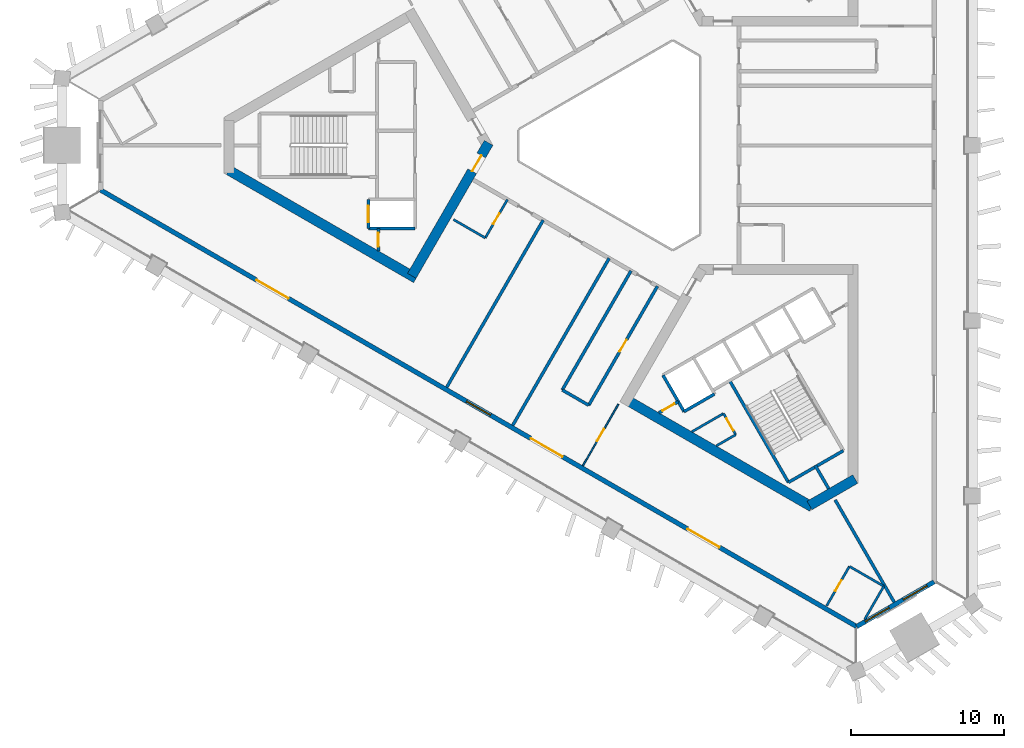
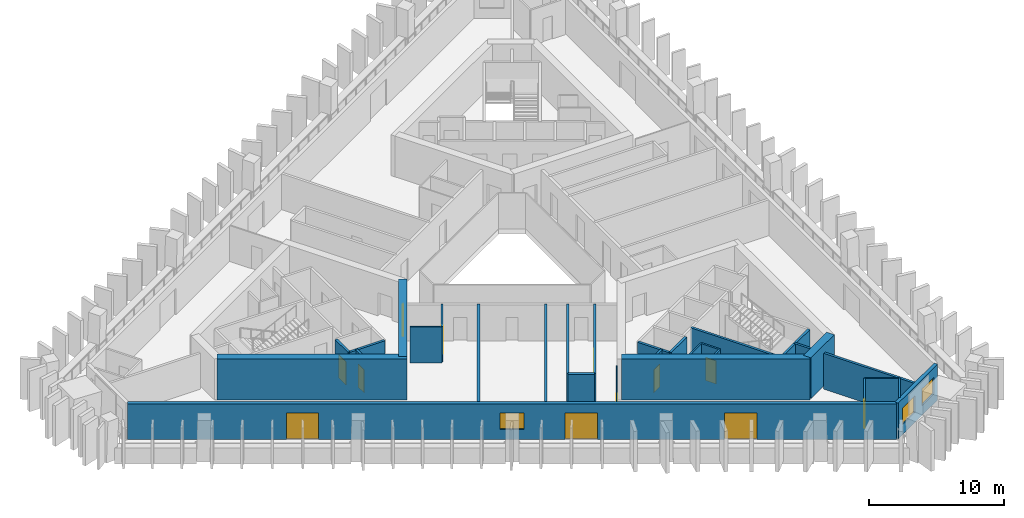
# One storey, part 2 of 10: 30 walls, 12 doors, 3 windows, 15 openings.
"""IFC4 building model written with IfcOpenShell, lengths in metres."""

from ifc_helpers import new_model, si_unit, direction, frame, frame_2d, origin, place, context, subcontext, project, spatial, rectangle, extrude, material, layer, layer_set, type_object, element, fill, save


model = new_model("IFC4")

# Units and contexts
model_context = context("Model", 3, precision=1e-05, world=origin(), true_north=direction((0.0, 1.0)))
body_context = subcontext(model_context, "Body", "Model", "MODEL_VIEW")
ifc_project = project(units=[si_unit("LENGTHUNIT", "METRE"), si_unit("AREAUNIT", "SQUARE_METRE"), si_unit("VOLUMEUNIT", "CUBIC_METRE"), si_unit("PLANEANGLEUNIT", "RADIAN"), si_unit("MASSUNIT", "GRAM", prefix="KILO")], contexts=[model_context])

# Site, building, storey
site_placement = place(None, origin())
site = spatial("IfcSite", under=ifc_project, at=site_placement, CompositionType="ELEMENT")
building_placement = place(site_placement, origin())
building = spatial("IfcBuilding", under=site, at=building_placement, Name="Jabali Bay Hotel Tower and Convention Centre", CompositionType="ELEMENT")
storey_placement = place(building_placement, frame((0.0, 0.0, 110.5)))
storey = spatial("IfcBuildingStorey", under=building, at=storey_placement, Name="L26", CompositionType="ELEMENT", Elevation=110.5)

# Wall, opening, door
ifc_material_1 = material(Name="Concrete C40", Category="concrete")
ifc_layer_1 = layer(ifc_material_1, 0.199951171875)
ifc_layer_set_1 = layer_set([ifc_layer_1], Name="Concrete C40")
wall_type_1 = type_object("IfcWallType", Name="Core partition wall 200", PredefinedType="PARTITIONING", material=ifc_layer_set_1)
wall_1_placement = place(storey_placement, frame((58.5, 74.550048828125, 0.0), z_axis=(0.0, 0.0, 1.0), x_axis=(0.0, -1.0, 0.0)))
wall_1 = element("IfcWall", 1, at=wall_1_placement, inside=storey, type_object=wall_type_1, Name="Core wall 0.10 L26", PredefinedType="PARTITIONING", context=body_context, shape_type="SweptSolid", body=[
    extrude(rectangle(XDim=1.455078125, YDim=0.199951171875, at=frame_2d((0.7275390625, 0.0))), origin(), (0.0, 0.0, 1.0), 3.25),
])
opening_1_placement = place(wall_1_placement, frame((0.277587890625, 0.0, 0.0)))
opening_1 = element("IfcOpeningElement", 2, at=opening_1_placement, cuts=wall_1, Name="Opening D586", PredefinedType="OPENING", context=body_context, shape_type="SweptSolid", body=[
    extrude(rectangle(XDim=0.89990234375, YDim=2.10009765625, at=frame_2d((0.449951171875, 1.050048828125))), frame((0.0, 0.1103515625, 0.0), z_axis=(0.0, -1.0, 0.0), x_axis=(1.0, 0.0, 0.0)), (0.0, 0.0, 1.0), 0.220947265625),
])
ifc_material_2 = material(Name="Fire-rated steel door", Category="steel")
door_type_1 = type_object("IfcDoorType", Name="Vestibule fire door 900 x 2100", OperationType="NOTDEFINED", PredefinedType="NOTDEFINED", material=ifc_material_2)
door_1_placement = place(opening_1_placement, origin())
door_1 = element("IfcDoor", 3, at=door_1_placement, inside=storey, type_object=door_type_1, Name="Vestibule fire door D586", OperationType="SINGLE_SWING_LEFT", OverallHeight=2.10009765625, OverallWidth=0.89990234375, PredefinedType="NOTDEFINED", context=body_context, shape_type="SweptSolid", body=[
    extrude(rectangle(XDim=0.89990234375, YDim=2.10009765625, at=frame_2d((0.449951171875, 1.050048828125))), frame((0.0, 0.02490234375, 0.0), z_axis=(0.0, -1.0, 0.0), x_axis=(1.0, 0.0, 0.0)), (0.0, 0.0, 1.0), 0.050048828125),
])
fill(opening_1, door_1)

# Wall
wall_2_placement = place(storey_placement, frame((87.090087890625, 59.0595703125, 0.0), z_axis=(0.0, 0.0, 1.0), x_axis=(0.499944938281, -0.866057191349, 0.0)))
element("IfcWall", 4, at=wall_2_placement, inside=storey, type_object=wall_type_1, Name="Core wall 2.5 L26", PredefinedType="PARTITIONING", context=body_context, shape_type="SweptSolid", body=[
    extrude(rectangle(XDim=1.773193359375, YDim=0.199951171875, at=frame_2d((0.88671875, 0.0))), origin(), (0.0, 0.0, 1.0), 3.25),
])

# Wall, opening, door
wall_3_placement = place(storey_placement, frame((76.869873046875, 62.489013671875, 0.0), z_axis=(0.0, 0.0, 1.0), x_axis=(0.866054810376, 0.49994906283, 0.0)))
wall_3 = element("IfcWall", 5, at=wall_3_placement, inside=storey, type_object=wall_type_1, Name="Core wall 2.11 L26", PredefinedType="PARTITIONING", context=body_context, shape_type="SweptSolid", body=[
    extrude(rectangle(XDim=1.461181640625, YDim=0.199951171875, at=frame_2d((0.73046875, 0.0))), origin(), (0.0, 0.0, 1.0), 3.25),
])
opening_2_placement = place(wall_3_placement, frame((0.280517578125, 0.0, 0.0)))
opening_2 = element("IfcOpeningElement", 6, at=opening_2_placement, cuts=wall_3, Name="Opening D599", PredefinedType="OPENING", context=body_context, shape_type="SweptSolid", body=[
    extrude(rectangle(XDim=0.89990234375, YDim=2.10009765625, at=frame_2d((0.449951171875, 1.050048828125))), frame((0.0, 0.1103515625, 0.0), z_axis=(0.0, -1.0, 0.0), x_axis=(1.0, 0.0, 0.0)), (0.0, 0.0, 1.0), 0.220947265625),
])
door_2_placement = place(opening_2_placement, origin())
door_2 = element("IfcDoor", 7, at=door_2_placement, inside=storey, type_object=door_type_1, Name="Vestibule fire door D599", OperationType="SINGLE_SWING_LEFT", OverallHeight=2.10009765625, OverallWidth=0.89990234375, PredefinedType="NOTDEFINED", context=body_context, shape_type="SweptSolid", body=[
    extrude(rectangle(XDim=0.89990234375, YDim=2.10009765625, at=frame_2d((0.449951171875, 1.050048828125))), frame((0.0, 0.02490234375, 0.0), z_axis=(0.0, -1.0, 0.0), x_axis=(1.0, 0.0, 0.0)), (0.0, 0.0, 1.0), 0.050048828125),
])
fill(opening_2, door_2)

ifc_material_3 = material(Name="Fire-rated board partition")
ifc_layer_2 = layer(ifc_material_3, 0.14990234375)
ifc_layer_set_2 = layer_set([ifc_layer_2], Name="Fire-rated board partition")
wall_type_2 = type_object("IfcWallType", Name="Core room partition 150", PredefinedType="PARTITIONING", material=ifc_layer_set_2)
wall_4_placement = place(storey_placement, frame((81.093994140625, 62.445068359375, 0.0), z_axis=(0.0, 0.0, 1.0), x_axis=(0.499880961361, -0.866094119867, 0.0)))
wall_4 = element("IfcWall", 8, at=wall_4_placement, inside=storey, type_object=wall_type_2, Name="Core wall 2.1 L26", PredefinedType="PARTITIONING", context=body_context, shape_type="SweptSolid", body=[
    extrude(rectangle(XDim=1.60009765625, YDim=0.14990234375, at=frame_2d((0.800048828125, 0.0))), origin(), (0.0, 0.0, 1.0), 3.25),
])
opening_3_placement = place(wall_4_placement, frame((0.387451171875, 0.0, 0.0)))
opening_3 = element("IfcOpeningElement", 9, at=opening_3_placement, cuts=wall_4, Name="Opening D601", PredefinedType="OPENING", context=body_context, shape_type="SweptSolid", body=[
    extrude(rectangle(XDim=0.89990234375, YDim=2.10009765625, at=frame_2d((0.449951171875, 1.050048828125))), frame((0.0, 0.08544921875, 0.0), z_axis=(0.0, -1.0, 0.0), x_axis=(1.0, 0.0, 0.0)), (0.0, 0.0, 1.0), 0.1708984375),
])
door_type_2 = type_object("IfcDoorType", Name="Core room door 900 x 2100", OperationType="NOTDEFINED", PredefinedType="NOTDEFINED", material=ifc_material_2)
door_3_placement = place(opening_3_placement, origin())
door_3 = element("IfcDoor", 10, at=door_3_placement, inside=storey, type_object=door_type_2, Name="Core room door D601", OperationType="SINGLE_SWING_LEFT", OverallHeight=2.10009765625, OverallWidth=0.89990234375, PredefinedType="NOTDEFINED", context=body_context, shape_type="SweptSolid", body=[
    extrude(rectangle(XDim=0.89990234375, YDim=2.10009765625, at=frame_2d((0.449951171875, 1.050048828125))), frame((0.0, 0.02490234375, 0.0), z_axis=(0.0, -1.0, 0.0), x_axis=(1.0, 0.0, 0.0)), (0.0, 0.0, 1.0), 0.050048828125),
])
fill(opening_3, door_3)

# Walls
wall_5_placement = place(storey_placement, frame((79.02001953125, 61.247802734375, 0.0), z_axis=(0.0, 0.0, 1.0), x_axis=(0.866051471819, 0.499954846121, 0.0)))
element("IfcWall", 11, at=wall_5_placement, inside=storey, type_object=wall_type_2, Name="Core wall 2.16 L26", PredefinedType="PARTITIONING", context=body_context, shape_type="SweptSolid", body=[
    extrude(rectangle(XDim=2.394775390625, YDim=0.14990234375, at=frame_2d((1.197265625, 0.0))), origin(), (0.0, 0.0, 1.0), 3.25),
])
wall_6_placement = place(storey_placement, frame((80.619873046875, 60.323974609375, 0.0), z_axis=(0.0, 0.0, 1.0), x_axis=(0.866069507536, 0.49992360228, 0.0)))
element("IfcWall", 12, at=wall_6_placement, inside=storey, type_object=wall_type_2, Name="Core wall 2.17 L26", PredefinedType="PARTITIONING", context=body_context, shape_type="SweptSolid", body=[
    extrude(rectangle(XDim=1.470947265625, YDim=0.14990234375, at=frame_2d((0.7353515625, 0.0))), origin(), (0.0, 0.0, 1.0), 3.25),
])
ifc_layer_3 = layer(ifc_material_1, 0.199951171875)
ifc_layer_set_3 = layer_set([ifc_layer_3], Name="Concrete C40")
wall_type_3 = type_object("IfcWallType", Name="Core stair wall 200", PredefinedType="SOLIDWALL", material=ifc_layer_set_3)
wall_7_placement = place(storey_placement, frame((60.89990234375, 74.550048828125, 0.0), z_axis=(0.0, 0.0, 1.0), x_axis=(-1.0, 0.0, 0.0)))
element("IfcWall", 13, at=wall_7_placement, inside=storey, type_object=wall_type_3, Name="Core wall 0.7 L26", PredefinedType="SOLIDWALL", context=body_context, shape_type="SweptSolid", body=[
    extrude(rectangle(XDim=3.0498046875, YDim=0.199951171875, at=frame_2d((1.52490234375, 0.0))), origin(), (0.0, 0.0, 1.0), 3.25),
])

# Wall, opening, door
wall_8_placement = place(storey_placement, frame((57.85009765625, 76.449951171875, 0.0), z_axis=(0.0, 0.0, 1.0), x_axis=(0.0, -1.0, 0.0)))
wall_8 = element("IfcWall", 14, at=wall_8_placement, inside=storey, type_object=wall_type_3, Name="Core wall 0.12 L26", PredefinedType="SOLIDWALL", context=body_context, shape_type="SweptSolid", body=[
    extrude(rectangle(XDim=1.89990234375, YDim=0.199951171875, at=frame_2d((0.949951171875, 0.0))), origin(), (0.0, 0.0, 1.0), 3.25),
])
opening_4_placement = place(wall_8_placement, frame((0.39990234375, 0.0, 0.0)))
opening_4 = element("IfcOpeningElement", 15, at=opening_4_placement, cuts=wall_8, Name="Opening LD5-L26", PredefinedType="OPENING", context=body_context, shape_type="SweptSolid", body=[
    extrude(rectangle(XDim=1.10009765625, YDim=2.10009765625, at=frame_2d((0.550048828125, 1.050048828125))), frame((0.0, 0.1103515625, 0.0), z_axis=(0.0, -1.0, 0.0), x_axis=(1.0, 0.0, 0.0)), (0.0, 0.0, 1.0), 0.220947265625),
])
ifc_material_4 = material(Name="Stainless steel landing door", Category="steel")
door_type_3 = type_object("IfcDoorType", Name="Landing door 1100 x 2100", OperationType="NOTDEFINED", PredefinedType="NOTDEFINED", material=ifc_material_4)
door_4_placement = place(opening_4_placement, origin())
door_4 = element("IfcDoor", 16, at=door_4_placement, inside=storey, type_object=door_type_3, Name="Landing doors LD5-L26", OperationType="SLIDING_TO_RIGHT", OverallHeight=2.10009765625, OverallWidth=1.10009765625, PredefinedType="NOTDEFINED", context=body_context, shape_type="SweptSolid", body=[
    extrude(rectangle(XDim=1.10009765625, YDim=2.10009765625, at=frame_2d((0.550048828125, 1.050048828125))), frame((0.0, 0.02490234375, 0.0), z_axis=(0.0, -1.0, 0.0), x_axis=(1.0, 0.0, 0.0)), (0.0, 0.0, 1.0), 0.050048828125),
])
fill(opening_4, door_4)

# Walls
wall_9_placement = place(storey_placement, frame((77.13525390625, 64.95166015625, 0.0), z_axis=(0.0, 0.0, 1.0), x_axis=(0.499996545922, -0.866027397988, 0.0)))
element("IfcWall", 17, at=wall_9_placement, inside=storey, type_object=wall_type_3, Name="Core wall 2.0 L26", PredefinedType="SOLIDWALL", context=body_context, shape_type="SweptSolid", body=[
    extrude(rectangle(XDim=2.75, YDim=0.199951171875, at=frame_2d((1.375, 0.0))), origin(), (0.0, 0.0, 1.0), 3.25),
])
wall_10_placement = place(storey_placement, frame((81.492919921875, 64.603759765625, 0.0), z_axis=(0.0, 0.0, 1.0), x_axis=(0.500006057782, -0.866021906294, 0.0)))
element("IfcWall", 18, at=wall_10_placement, inside=storey, type_object=wall_type_3, Name="Core wall 2.3 L26", PredefinedType="SOLIDWALL", context=body_context, shape_type="SweptSolid", body=[
    extrude(rectangle(XDim=7.7001953125, YDim=0.199951171875, at=frame_2d((3.85009765625, 0.0))), origin(), (0.0, 0.0, 1.0), 3.25),
])
wall_11_placement = place(storey_placement, frame((78.51025390625, 62.570068359375, 0.0), z_axis=(0.0, 0.0, 1.0), x_axis=(0.866053019151, 0.499952165731, 0.0)))
element("IfcWall", 19, at=wall_11_placement, inside=storey, type_object=wall_type_3, Name="Core wall 2.14 L26", PredefinedType="SOLIDWALL", context=body_context, shape_type="SweptSolid", body=[
    extrude(rectangle(XDim=2.300048828125, YDim=0.199951171875, at=frame_2d((1.14990234375, 0.0))), origin(), (0.0, 0.0, 1.0), 3.25),
])
wall_12_placement = place(storey_placement, frame((85.343017578125, 57.935302734375, 0.0), z_axis=(0.0, 0.0, 1.0), x_axis=(0.866004344652, 0.500036473714, 0.0)))
element("IfcWall", 20, at=wall_12_placement, inside=storey, type_object=wall_type_3, Name="Core wall 2.18 L26", PredefinedType="SOLIDWALL", context=body_context, shape_type="SweptSolid", body=[
    extrude(rectangle(XDim=4.150146484375, YDim=0.199951171875, at=frame_2d((2.0751953125, 0.0))), origin(), (0.0, 0.0, 1.0), 3.25),
])
ifc_material_5 = material(Name="Concrete C60", Category="concrete")
ifc_layer_4 = layer(ifc_material_5, 0.64990234375)
ifc_layer_set_4 = layer_set([ifc_layer_4], Name="Concrete C60")
wall_type_4 = type_object("IfcWallType", Name="Core wall 650", PredefinedType="SHEAR", material=ifc_layer_set_4)
wall_13_placement = place(storey_placement, frame((48.721923828125, 78.364990234375, 0.0), z_axis=(0.0, 0.0, 1.0), x_axis=(0.866020036431, -0.500009296414, 0.0)))
element("IfcWall", 21, at=wall_13_placement, inside=storey, type_object=wall_type_4, Name="Core wall 1.4 L26", PredefinedType="SHEAR", context=body_context, shape_type="SweptSolid", body=[
    extrude(rectangle(XDim=14.145751953125, YDim=0.64990234375, at=frame_2d((7.07275390625, 0.0))), origin(), (0.0, 0.0, 1.0), 3.699951171875),
])

# Wall, opening, door
wall_14_placement = place(storey_placement, frame((60.691162109375, 71.45458984375, 0.0), z_axis=(0.0, 0.0, 1.0), x_axis=(0.499983075189, 0.866035175108, 0.0)))
wall_14 = element("IfcWall", 22, at=wall_14_placement, inside=storey, type_object=wall_type_4, Name="Core wall 1.5 L26", PredefinedType="SHEAR", context=body_context, shape_type="SweptSolid", body=[
    extrude(rectangle(XDim=10.054931640625, YDim=0.64990234375, at=frame_2d((5.02734375, 0.0))), origin(), (0.0, 0.0, 1.0), 3.699951171875),
])
opening_5_placement = place(wall_14_placement, frame((7.905029296875, 0.0, 0.0)))
opening_5 = element("IfcOpeningElement", 23, at=opening_5_placement, cuts=wall_14, Name="Opening D583", PredefinedType="OPENING", context=body_context, shape_type="SweptSolid", body=[
    extrude(rectangle(XDim=1.199951171875, YDim=2.10009765625, at=frame_2d((0.60009765625, 1.050048828125))), frame((0.0, 0.33544921875, 0.0), z_axis=(0.0, -1.0, 0.0), x_axis=(1.0, 0.0, 0.0)), (0.0, 0.0, 1.0), 0.6708984375),
])
door_type_4 = type_object("IfcDoorType", Name="Corridor end fire door 1200 x 2100", OperationType="NOTDEFINED", PredefinedType="NOTDEFINED", material=ifc_material_2)
door_5_placement = place(opening_5_placement, origin())
door_5 = element("IfcDoor", 24, at=door_5_placement, inside=storey, type_object=door_type_4, Name="Corridor end fire door D583", OperationType="SINGLE_SWING_LEFT", OverallHeight=2.10009765625, OverallWidth=1.199951171875, PredefinedType="NOTDEFINED", context=body_context, shape_type="SweptSolid", body=[
    extrude(rectangle(XDim=1.199951171875, YDim=2.10009765625, at=frame_2d((0.60009765625, 1.050048828125))), frame((0.0, 0.02490234375, 0.0), z_axis=(0.0, -1.0, 0.0), x_axis=(1.0, 0.0, 0.0)), (0.0, 0.0, 1.0), 0.050048828125),
])
fill(opening_5, door_5)

# Walls
wall_15_placement = place(storey_placement, frame((74.75390625, 63.33544921875, 0.0), z_axis=(0.0, 0.0, 1.0), x_axis=(0.866026250715, -0.49999853307, 0.0)))
element("IfcWall", 25, at=wall_15_placement, inside=storey, type_object=wall_type_4, Name="Core wall 3.2 L26", PredefinedType="SHEAR", context=body_context, shape_type="SweptSolid", body=[
    extrude(rectangle(XDim=14.00830078125, YDim=0.64990234375, at=frame_2d((7.004150390625, 0.0))), origin(), (0.0, 0.0, 1.0), 3.699951171875),
])
wall_16_placement = place(storey_placement, frame((86.72314453125, 56.425048828125, 0.0), z_axis=(0.0, 0.0, 1.0), x_axis=(0.866031550877, 0.499989352773, 0.0)))
element("IfcWall", 26, at=wall_16_placement, inside=storey, type_object=wall_type_4, Name="Core wall 3.3 L26", PredefinedType="SHEAR", context=body_context, shape_type="SweptSolid", body=[
    extrude(rectangle(XDim=3.45751953125, YDim=0.64990234375, at=frame_2d((1.728759765625, 0.0))), origin(), (0.0, 0.0, 1.0), 3.699951171875),
])

# Wall, openings, windows
ifc_layer_5 = layer(ifc_material_1, 0.300048828125)
ifc_layer_set_5 = layer_set([ifc_layer_5], Name="Concrete C40")
wall_type_5 = type_object("IfcWallType", Name="External wall 300", PredefinedType="SOLIDWALL", material=ifc_layer_set_5)
wall_17_placement = place(storey_placement, frame((94.874755859375, 51.423828125, 0.0), z_axis=(0.0, 0.0, 1.0), x_axis=(-0.866017340887, -0.500013965089, 0.0)))
wall_17 = element("IfcWall", 27, at=wall_17_placement, inside=storey, type_object=wall_type_5, Name="External wall south-east chamfer L26", PredefinedType="SOLIDWALL", context=body_context, shape_type="SweptSolid", body=[
    extrude(rectangle(XDim=5.847900390625, YDim=0.300048828125, at=frame_2d((2.923828125, 0.0))), origin(), (0.0, 0.0, 1.0), 3.25),
])
opening_6_placement = place(wall_17_placement, frame((3.3984375, 0.0, 0.89990234375)))
opening_6 = element("IfcOpeningElement", 28, at=opening_6_placement, cuts=wall_17, Name="Opening W1", PredefinedType="OPENING", context=body_context, shape_type="SweptSolid", body=[
    extrude(rectangle(XDim=1.800048828125, YDim=1.5, at=frame_2d((0.89990234375, 0.75))), frame((0.0, 0.16064453125, 0.0), z_axis=(0.0, -1.0, 0.0), x_axis=(1.0, 0.0, 0.0)), (0.0, 0.0, 1.0), 0.321044921875),
])
opening_7_placement = place(wall_17_placement, frame((0.519287109375, 0.0, 0.89990234375)))
opening_7 = element("IfcOpeningElement", 29, at=opening_7_placement, cuts=wall_17, Name="Opening W1", PredefinedType="OPENING", context=body_context, shape_type="SweptSolid", body=[
    extrude(rectangle(XDim=1.800048828125, YDim=1.5, at=frame_2d((0.89990234375, 0.75))), frame((0.0, 0.16064453125, 0.0), z_axis=(0.0, -1.0, 0.0), x_axis=(1.0, 0.0, 0.0)), (0.0, 0.0, 1.0), 0.321044921875),
])
ifc_material_6 = material(Name="Glass", Category="glass")
window_type = type_object("IfcWindowType", Name="Window 1800 x 1500", PartitioningType="SINGLE_PANEL", PredefinedType="WINDOW", material=ifc_material_6)
window_1_placement = place(opening_6_placement, origin())
window_1 = element("IfcWindow", 30, at=window_1_placement, inside=storey, type_object=window_type, Name="Window 2609", OverallHeight=1.5, OverallWidth=1.800048828125, PartitioningType="SINGLE_PANEL", PredefinedType="WINDOW", context=body_context, shape_type="SweptSolid", body=[
    extrude(rectangle(XDim=1.800048828125, YDim=1.5, at=frame_2d((0.89990234375, 0.75))), frame((0.0, 0.030029296875, 0.0), z_axis=(0.0, -1.0, 0.0), x_axis=(1.0, 0.0, 0.0)), (0.0, 0.0, 1.0), 0.06005859375),
])
fill(opening_6, window_1)
window_2_placement = place(opening_7_placement, origin())
window_2 = element("IfcWindow", 31, at=window_2_placement, inside=storey, type_object=window_type, Name="Window 2601", OverallHeight=1.5, OverallWidth=1.800048828125, PartitioningType="SINGLE_PANEL", PredefinedType="WINDOW", context=body_context, shape_type="SweptSolid", body=[
    extrude(rectangle(XDim=1.800048828125, YDim=1.5, at=frame_2d((0.89990234375, 0.75))), frame((0.0, 0.030029296875, 0.0), z_axis=(0.0, -1.0, 0.0), x_axis=(1.0, 0.0, 0.0)), (0.0, 0.0, 1.0), 0.06005859375),
])
fill(opening_7, window_2)

# Wall, openings, doors, window
wall_18_placement = place(storey_placement, frame((89.810302734375, 48.499755859375, 0.0), z_axis=(0.0, 0.0, 1.0), x_axis=(-0.866025315226, 0.500000153387, 0.0)))
wall_18 = element("IfcWall", 32, at=wall_18_placement, inside=storey, type_object=wall_type_5, Name="External wall south-west face L26", PredefinedType="SOLIDWALL", context=body_context, shape_type="SweptSolid", body=[
    extrude(rectangle(XDim=57.15234375, YDim=0.300048828125, at=frame_2d((28.576171875, 0.0))), origin(), (0.0, 0.0, 1.0), 3.25),
])
opening_8_placement = place(wall_18_placement, frame((22.23193359375, 0.0, 0.0)))
opening_8 = element("IfcOpeningElement", 33, at=opening_8_placement, cuts=wall_18, Name="Opening SD1", PredefinedType="OPENING", context=body_context, shape_type="SweptSolid", body=[
    extrude(rectangle(XDim=2.39990234375, YDim=2.39990234375, at=frame_2d((1.199951171875, 1.199951171875))), frame((0.0, 0.16064453125, 0.0), z_axis=(0.0, -1.0, 0.0), x_axis=(1.0, 0.0, 0.0)), (0.0, 0.0, 1.0), 0.321044921875),
])
opening_9_placement = place(wall_18_placement, frame((10.372802734375, 0.0, 0.0)))
opening_9 = element("IfcOpeningElement", 34, at=opening_9_placement, cuts=wall_18, Name="Opening SD1", PredefinedType="OPENING", context=body_context, shape_type="SweptSolid", body=[
    extrude(rectangle(XDim=2.39990234375, YDim=2.39990234375, at=frame_2d((1.199951171875, 1.199951171875))), frame((0.0, 0.16064453125, 0.0), z_axis=(0.0, -1.0, 0.0), x_axis=(1.0, 0.0, 0.0)), (0.0, 0.0, 1.0), 0.321044921875),
])
opening_10_placement = place(wall_18_placement, frame((42.95458984375, 0.0, 0.0)))
opening_10 = element("IfcOpeningElement", 35, at=opening_10_placement, cuts=wall_18, Name="Opening SD1", PredefinedType="OPENING", context=body_context, shape_type="SweptSolid", body=[
    extrude(rectangle(XDim=2.39990234375, YDim=2.39990234375, at=frame_2d((1.199951171875, 1.199951171875))), frame((0.0, 0.16064453125, 0.0), z_axis=(0.0, -1.0, 0.0), x_axis=(1.0, 0.0, 0.0)), (0.0, 0.0, 1.0), 0.321044921875),
])
opening_11_placement = place(wall_18_placement, frame((27.67626953125, 0.0, 0.89990234375)))
opening_11 = element("IfcOpeningElement", 36, at=opening_11_placement, cuts=wall_18, Name="Opening W1", PredefinedType="OPENING", context=body_context, shape_type="SweptSolid", body=[
    extrude(rectangle(XDim=1.800048828125, YDim=1.5, at=frame_2d((0.89990234375, 0.75))), frame((0.0, 0.16064453125, 0.0), z_axis=(0.0, -1.0, 0.0), x_axis=(1.0, 0.0, 0.0)), (0.0, 0.0, 1.0), 0.321044921875),
])
door_type_5 = type_object("IfcDoorType", Name="Loggia sliding door 2400 x 2400", OperationType="NOTDEFINED", PredefinedType="NOTDEFINED", material=ifc_material_6)
door_6_placement = place(opening_8_placement, origin())
door_6 = element("IfcDoor", 37, at=door_6_placement, inside=storey, type_object=door_type_5, Name="Loggia sliding door 2609", OperationType="SLIDING_TO_LEFT", OverallHeight=2.39990234375, OverallWidth=2.39990234375, PredefinedType="NOTDEFINED", context=body_context, shape_type="SweptSolid", body=[
    extrude(rectangle(XDim=2.39990234375, YDim=2.39990234375, at=frame_2d((1.199951171875, 1.199951171875))), frame((0.0, 0.02490234375, 0.0), z_axis=(0.0, -1.0, 0.0), x_axis=(1.0, 0.0, 0.0)), (0.0, 0.0, 1.0), 0.050048828125),
])
fill(opening_8, door_6)
door_7_placement = place(opening_9_placement, origin())
door_7 = element("IfcDoor", 38, at=door_7_placement, inside=storey, type_object=door_type_5, Name="Loggia sliding door 2609", OperationType="SLIDING_TO_RIGHT", OverallHeight=2.39990234375, OverallWidth=2.39990234375, PredefinedType="NOTDEFINED", context=body_context, shape_type="SweptSolid", body=[
    extrude(rectangle(XDim=2.39990234375, YDim=2.39990234375, at=frame_2d((1.199951171875, 1.199951171875))), frame((0.0, 0.02490234375, 0.0), z_axis=(0.0, -1.0, 0.0), x_axis=(1.0, 0.0, 0.0)), (0.0, 0.0, 1.0), 0.050048828125),
])
fill(opening_9, door_7)
door_8_placement = place(opening_10_placement, origin())
door_8 = element("IfcDoor", 39, at=door_8_placement, inside=storey, type_object=door_type_5, Name="Loggia sliding door 2607", OperationType="SLIDING_TO_LEFT", OverallHeight=2.39990234375, OverallWidth=2.39990234375, PredefinedType="NOTDEFINED", context=body_context, shape_type="SweptSolid", body=[
    extrude(rectangle(XDim=2.39990234375, YDim=2.39990234375, at=frame_2d((1.199951171875, 1.199951171875))), frame((0.0, 0.02490234375, 0.0), z_axis=(0.0, -1.0, 0.0), x_axis=(1.0, 0.0, 0.0)), (0.0, 0.0, 1.0), 0.050048828125),
])
fill(opening_10, door_8)
window_3_placement = place(opening_11_placement, origin())
window_3 = element("IfcWindow", 40, at=window_3_placement, inside=storey, type_object=window_type, Name="Window 2608", OverallHeight=1.5, OverallWidth=1.800048828125, PartitioningType="SINGLE_PANEL", PredefinedType="WINDOW", context=body_context, shape_type="SweptSolid", body=[
    extrude(rectangle(XDim=1.800048828125, YDim=1.5, at=frame_2d((0.89990234375, 0.75))), frame((0.0, 0.030029296875, 0.0), z_axis=(0.0, -1.0, 0.0), x_axis=(1.0, 0.0, 0.0)), (0.0, 0.0, 1.0), 0.06005859375),
])
fill(opening_11, window_3)

# Wall, opening, door
ifc_material_7 = material(Name="Plasterboard on steel stud", Category="steel")
ifc_layer_6 = layer(ifc_material_7, 0.10009765625)
ifc_layer_set_6 = layer_set([ifc_layer_6], Name="Plasterboard on steel stud")
wall_type_6 = type_object("IfcWallType", Name="Partition 100 unit", PredefinedType="PARTITIONING", material=ifc_layer_set_6)
wall_19_placement = place(storey_placement, frame((71.88720703125, 59.019775390625, 0.0), z_axis=(0.0, 0.0, 1.0), x_axis=(0.499958946799, 0.866049104564, 0.0)))
wall_19 = element("IfcWall", 41, at=wall_19_placement, inside=storey, type_object=wall_type_6, Name="Partition P02 L26 032", PredefinedType="PARTITIONING", context=body_context, shape_type="SweptSolid", body=[
    extrude(rectangle(XDim=4.64697265625, YDim=0.10009765625, at=frame_2d((2.323486328125, 0.0))), origin(), (0.0, 0.0, 1.0), 3.25),
])
opening_12_placement = place(wall_19_placement, frame((1.873046875, 0.0, 0.0)))
opening_12 = element("IfcOpeningElement", 42, at=opening_12_placement, cuts=wall_19, Name="Opening 2620", PredefinedType="OPENING", context=body_context, shape_type="SweptSolid", body=[
    extrude(rectangle(XDim=0.89990234375, YDim=2.10009765625, at=frame_2d((0.449951171875, 1.050048828125))), frame((0.0, 0.060546875, 0.0), z_axis=(0.0, -1.0, 0.0), x_axis=(1.0, 0.0, 0.0)), (0.0, 0.0, 1.0), 0.12109375),
])
ifc_material_8 = material(Name="Timber", Category="wood")
door_type_6 = type_object("IfcDoorType", Name="Internal door 900 x 2100", OperationType="NOTDEFINED", PredefinedType="NOTDEFINED", material=ifc_material_8)
door_9_placement = place(opening_12_placement, origin())
door_9 = element("IfcDoor", 43, at=door_9_placement, inside=storey, type_object=door_type_6, Name="Door 2620", OperationType="SINGLE_SWING_LEFT", OverallHeight=2.10009765625, OverallWidth=0.89990234375, PredefinedType="NOTDEFINED", context=body_context, shape_type="SweptSolid", body=[
    extrude(rectangle(XDim=0.89990234375, YDim=2.10009765625, at=frame_2d((0.449951171875, 1.050048828125))), frame((0.0, 0.02490234375, 0.0), z_axis=(0.0, -1.0, 0.0), x_axis=(1.0, 0.0, 0.0)), (0.0, 0.0, 1.0), 0.050048828125),
])
fill(opening_12, door_9)

ifc_layer_7 = layer(ifc_material_7, 0.14990234375)
ifc_layer_set_7 = layer_set([ifc_layer_7], Name="Plasterboard on steel stud")
wall_type_7 = type_object("IfcWallType", Name="Partition 150 wet", PredefinedType="PARTITIONING", material=ifc_layer_set_7)
wall_20_placement = place(storey_placement, frame((66.95166015625, 76.4482421875, 0.0), z_axis=(0.0, 0.0, 1.0), x_axis=(-0.499987231761, -0.866032775405, 0.0)))
wall_20 = element("IfcWall", 44, at=wall_20_placement, inside=storey, type_object=wall_type_7, Name="Partition P03 L26 028", PredefinedType="PARTITIONING", context=body_context, shape_type="SweptSolid", body=[
    extrude(rectangle(XDim=2.89990234375, YDim=0.14990234375, at=frame_2d((1.449951171875, 0.0))), origin(), (0.0, 0.0, 1.0), 3.25),
])
opening_13_placement = place(wall_20_placement, frame((1.050048828125, 0.0, 0.0)))
opening_13 = element("IfcOpeningElement", 45, at=opening_13_placement, cuts=wall_20, Name="Opening 2616", PredefinedType="OPENING", context=body_context, shape_type="SweptSolid", body=[
    extrude(rectangle(XDim=0.800048828125, YDim=2.10009765625, at=frame_2d((0.39990234375, 1.050048828125))), frame((0.0, 0.08544921875, 0.0), z_axis=(0.0, -1.0, 0.0), x_axis=(1.0, 0.0, 0.0)), (0.0, 0.0, 1.0), 0.1708984375),
])
door_type_7 = type_object("IfcDoorType", Name="En-suite door 800 x 2100", OperationType="NOTDEFINED", PredefinedType="NOTDEFINED", material=ifc_material_8)
door_10_placement = place(opening_13_placement, origin())
door_10 = element("IfcDoor", 46, at=door_10_placement, inside=storey, type_object=door_type_7, Name="Door 2616", OperationType="SINGLE_SWING_RIGHT", OverallHeight=2.10009765625, OverallWidth=0.800048828125, PredefinedType="NOTDEFINED", context=body_context, shape_type="SweptSolid", body=[
    extrude(rectangle(XDim=0.800048828125, YDim=2.10009765625, at=frame_2d((0.39990234375, 1.050048828125))), frame((0.0, 0.02490234375, 0.0), z_axis=(0.0, -1.0, 0.0), x_axis=(1.0, 0.0, 0.0)), (0.0, 0.0, 1.0), 0.050048828125),
])
fill(opening_13, door_10)

# Wall
wall_21_placement = place(storey_placement, frame((65.501708984375, 73.936767578125, 0.0), z_axis=(0.0, 0.0, 1.0), x_axis=(-0.865994240961, 0.500053971709, 0.0)))
element("IfcWall", 47, at=wall_21_placement, inside=storey, type_object=wall_type_7, Name="Partition P03 L26 029", PredefinedType="PARTITIONING", context=body_context, shape_type="SweptSolid", body=[
    extrude(rectangle(XDim=2.401123046875, YDim=0.14990234375, at=frame_2d((1.20068359375, 0.0))), origin(), (0.0, 0.0, 1.0), 3.25),
])

# Wall, opening, door
wall_22_placement = place(storey_placement, frame((87.842529296875, 49.85546875, 0.0), z_axis=(0.0, 0.0, 1.0), x_axis=(0.49996804791, 0.866043850546, 0.0)))
wall_22 = element("IfcWall", 48, at=wall_22_placement, inside=storey, type_object=wall_type_7, Name="Partition P03 L26 036", PredefinedType="PARTITIONING", context=body_context, shape_type="SweptSolid", body=[
    extrude(rectangle(XDim=2.983154296875, YDim=0.14990234375, at=frame_2d((1.49169921875, 0.0))), origin(), (0.0, 0.0, 1.0), 3.25),
])
opening_14_placement = place(wall_22_placement, frame((1.13330078125, 0.0, 0.0)))
opening_14 = element("IfcOpeningElement", 49, at=opening_14_placement, cuts=wall_22, Name="Opening 2621", PredefinedType="OPENING", context=body_context, shape_type="SweptSolid", body=[
    extrude(rectangle(XDim=0.800048828125, YDim=2.10009765625, at=frame_2d((0.39990234375, 1.050048828125))), frame((0.0, 0.08544921875, 0.0), z_axis=(0.0, -1.0, 0.0), x_axis=(1.0, 0.0, 0.0)), (0.0, 0.0, 1.0), 0.1708984375),
])
door_11_placement = place(opening_14_placement, origin())
door_11 = element("IfcDoor", 50, at=door_11_placement, inside=storey, type_object=door_type_7, Name="Door 2621", OperationType="SINGLE_SWING_RIGHT", OverallHeight=2.10009765625, OverallWidth=0.800048828125, PredefinedType="NOTDEFINED", context=body_context, shape_type="SweptSolid", body=[
    extrude(rectangle(XDim=0.800048828125, YDim=2.10009765625, at=frame_2d((0.39990234375, 1.050048828125))), frame((0.0, 0.02490234375, 0.0), z_axis=(0.0, -1.0, 0.0), x_axis=(1.0, 0.0, 0.0)), (0.0, 0.0, 1.0), 0.050048828125),
])
fill(opening_14, door_11)

# Walls
wall_23_placement = place(storey_placement, frame((89.333984375, 52.43896484375, 0.0), z_axis=(0.0, 0.0, 1.0), x_axis=(0.866021400173, -0.500006934395, 0.0)))
element("IfcWall", 51, at=wall_23_placement, inside=storey, type_object=wall_type_7, Name="Partition P03 L26 037", PredefinedType="PARTITIONING", context=body_context, shape_type="SweptSolid", body=[
    extrude(rectangle(XDim=2.60009765625, YDim=0.14990234375, at=frame_2d((1.300048828125, 0.0))), origin(), (0.0, 0.0, 1.0), 3.25),
])
wall_24_placement = place(storey_placement, frame((91.585693359375, 51.138916015625, 0.0), z_axis=(0.0, 0.0, 1.0), x_axis=(-0.500018619731, -0.866014653411, 0.0)))
element("IfcWall", 52, at=wall_24_placement, inside=storey, type_object=wall_type_7, Name="Partition P03 L26 038", PredefinedType="PARTITIONING", context=body_context, shape_type="SweptSolid", body=[
    extrude(rectangle(XDim=2.49755859375, YDim=0.14990234375, at=frame_2d((1.248779296875, 0.0))), origin(), (0.0, 0.0, 1.0), 3.25),
])
ifc_layer_8 = layer(ifc_material_7, 0.199951171875)
ifc_layer_set_8 = layer_set([ifc_layer_8], Name="Plasterboard on steel stud")
wall_type_8 = type_object("IfcWallType", Name="Partition 200 party", PredefinedType="PARTITIONING", material=ifc_layer_set_8)
wall_25_placement = place(storey_placement, frame((88.401123046875, 56.788818359375, 0.0), z_axis=(0.0, 0.0, 1.0), x_axis=(0.499985685157, -0.866033668305, 0.0)))
element("IfcWall", 53, at=wall_25_placement, inside=storey, type_object=wall_type_8, Name="Partition P01 L26 004", PredefinedType="PARTITIONING", context=body_context, shape_type="SweptSolid", body=[
    extrude(rectangle(XDim=7.734130859375, YDim=0.199951171875, at=frame_2d((3.8671875, 0.0))), origin(), (0.0, 0.0, 1.0), 3.25),
])
for number, where, z_axis, x_axis, name in (
    (54, (62.97705078125, 64.1640625, 0.0), (0.0, 0.0, 1.0), (0.500003096163, 0.866023616206, 0.0), "Partition P01 L26 030"),
    (55, (67.297119140625, 61.669921875, 0.0), (0.0, 0.0, 1.0), (0.500003096163, 0.866023616206, 0.0), "Partition P01 L26 031"),
):
    element("IfcWall", number, at=place(storey_placement, frame(where, z_axis=z_axis, x_axis=x_axis)), inside=storey, type_object=wall_type_8, Name=name, PredefinedType="PARTITIONING", context=body_context, shape_type="SweptSolid", body=[
        extrude(rectangle(XDim=12.6259765625, YDim=0.199951171875, at=frame_2d((6.31298828125, 0.0))), origin(), (0.0, 0.0, 1.0), 3.25),
    ])

# Wall, opening, door
wall_26_placement = place(storey_placement, frame((76.77099609375, 70.779052734375, 0.0), z_axis=(0.0, 0.0, 1.0), x_axis=(-0.5000018851, -0.866024315419, 0.0)))
wall_26 = element("IfcWall", 56, at=wall_26_placement, inside=storey, type_object=wall_type_8, Name="Partition P01 L26 033", PredefinedType="PARTITIONING", context=body_context, shape_type="SweptSolid", body=[
    extrude(rectangle(XDim=9.0, YDim=0.199951171875, at=frame_2d((4.5, 0.0))), origin(), (0.0, 0.0, 1.0), 3.25),
])
opening_15_placement = place(wall_26_placement, frame((4.050048828125, 0.0, 0.0)))
opening_15 = element("IfcOpeningElement", 57, at=opening_15_placement, cuts=wall_26, Name="Opening 2622", PredefinedType="OPENING", context=body_context, shape_type="SweptSolid", body=[
    extrude(rectangle(XDim=0.89990234375, YDim=2.10009765625, at=frame_2d((0.449951171875, 1.050048828125))), frame((0.0, 0.1103515625, 0.0), z_axis=(0.0, -1.0, 0.0), x_axis=(1.0, 0.0, 0.0)), (0.0, 0.0, 1.0), 0.220947265625),
])
door_12_placement = place(opening_15_placement, origin())
door_12 = element("IfcDoor", 58, at=door_12_placement, inside=storey, type_object=door_type_6, Name="Door 2622", OperationType="SINGLE_SWING_LEFT", OverallHeight=2.10009765625, OverallWidth=0.89990234375, PredefinedType="NOTDEFINED", context=body_context, shape_type="SweptSolid", body=[
    extrude(rectangle(XDim=0.89990234375, YDim=2.10009765625, at=frame_2d((0.449951171875, 1.050048828125))), frame((0.0, 0.02490234375, 0.0), z_axis=(0.0, -1.0, 0.0), x_axis=(1.0, 0.0, 0.0)), (0.0, 0.0, 1.0), 0.050048828125),
])
fill(opening_15, door_12)

# Walls
wall_27_placement = place(storey_placement, frame((72.27099609375, 62.98486328125, 0.0), z_axis=(0.0, 0.0, 1.0), x_axis=(-0.866010750942, 0.50002537861, 0.0)))
element("IfcWall", 59, at=wall_27_placement, inside=storey, type_object=wall_type_8, Name="Partition P01 L26 034", PredefinedType="PARTITIONING", context=body_context, shape_type="SweptSolid", body=[
    extrude(rectangle(XDim=2.0, YDim=0.199951171875, at=frame_2d((1.0, 0.0))), origin(), (0.0, 0.0, 1.0), 3.25),
])
wall_28_placement = place(storey_placement, frame((70.5390625, 63.98486328125, 0.0), z_axis=(0.0, 0.0, 1.0), x_axis=(0.5000018851, 0.866024315419, 0.0)))
element("IfcWall", 60, at=wall_28_placement, inside=storey, type_object=wall_type_8, Name="Partition P01 L26 035", PredefinedType="PARTITIONING", context=body_context, shape_type="SweptSolid", body=[
    extrude(rectangle(XDim=9.0, YDim=0.199951171875, at=frame_2d((4.5, 0.0))), origin(), (0.0, 0.0, 1.0), 3.25),
])

save(model, "model.ifc")
